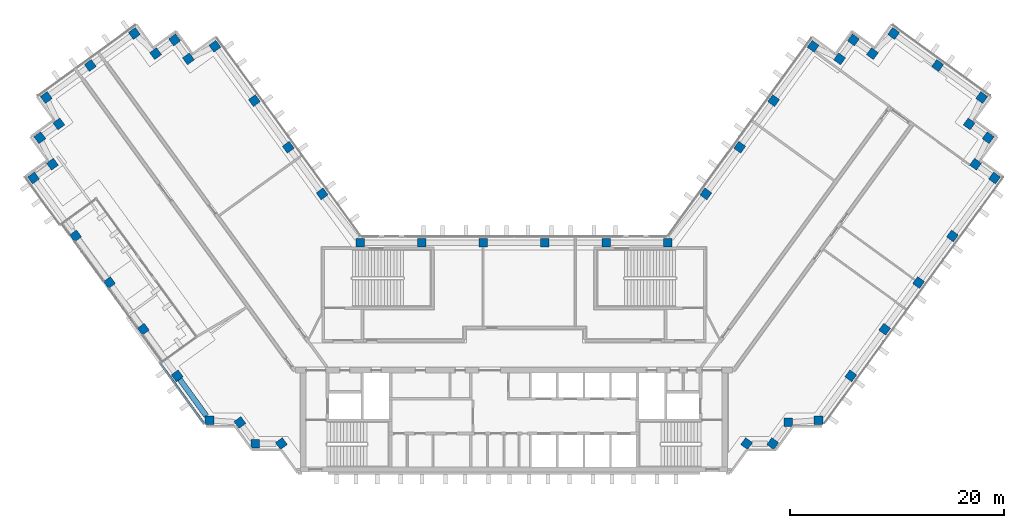
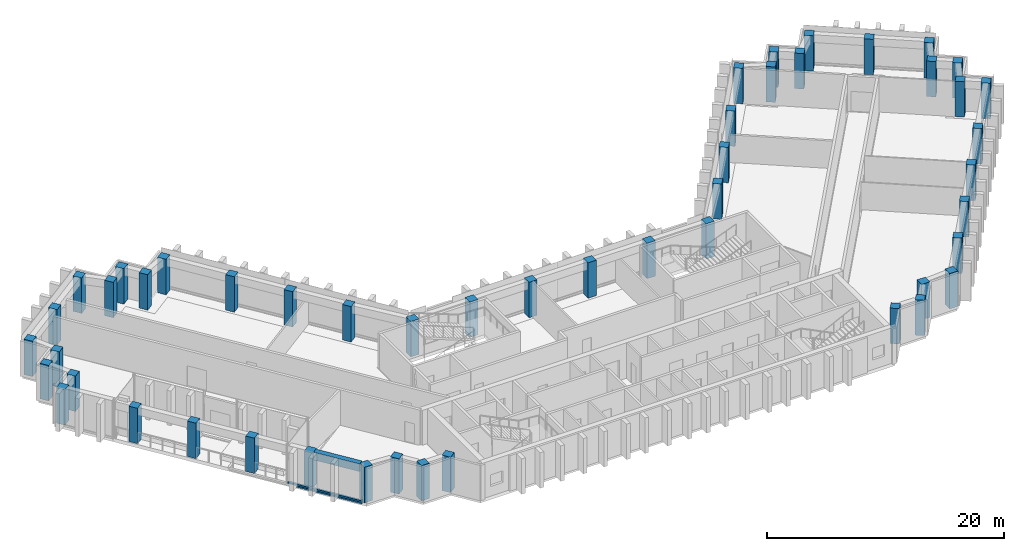
"""IFC4 building model written with IfcOpenShell, lengths in metres."""

from ifc_helpers import new_model, si_unit, direction, frame, origin, origin_2d, place, context, subcontext, project, spatial, rectangle, extrude, material, material_profile, profile_set, type_object, element, aggregate, save


model = new_model("IFC4")

# Units and contexts
model_context = context("Model", 3, precision=1e-05, world=origin(), true_north=direction((0.0, 1.0)))
body_context = subcontext(model_context, "Body", "Model", "MODEL_VIEW")
ifc_project = project(units=[si_unit("LENGTHUNIT", "METRE"), si_unit("AREAUNIT", "SQUARE_METRE"), si_unit("VOLUMEUNIT", "CUBIC_METRE"), si_unit("PLANEANGLEUNIT", "RADIAN"), si_unit("MASSUNIT", "GRAM", prefix="KILO")], contexts=[model_context])

# Site, building, storey
site_placement = place(None, origin())
site = spatial("IfcSite", under=ifc_project, at=site_placement, CompositionType="ELEMENT")
building_placement = place(site_placement, origin())
building = spatial("IfcBuilding", under=site, at=building_placement, Name="Quipu Civic Tower", CompositionType="ELEMENT")
storey_1_placement = place(building_placement, frame((0.0, 0.0, 156.0)))
storey_1 = spatial("IfcBuildingStorey", under=building, at=storey_1_placement, Name="L36", CompositionType="ELEMENT", Elevation=156.0)

# Columns
ifc_material_1 = material(Name="Concrete C60/75", Category="concrete")
ifc_material_profile_1 = material_profile(ifc_material_1, rectangle(XDim=0.800048828125, YDim=0.800048828125, at=origin_2d()), Name="RC800x800")
ifc_profile_set_1 = profile_set([ifc_material_profile_1], Name="Concrete C60/75")
column_type = type_object("IfcColumnType", Name="Perimeter column RC 800x800 C60/75", PredefinedType="COLUMN", material=ifc_profile_set_1)
for number, where, z_axis, x_axis, name in (
    (1, (-17.9736328125, 15.074951171875, 0.0), (0.0, 0.0, 1.0), (-0.587785252292, 0.809016994375, 0.0), "Column L36 W-IN-01"),
    (2, (-21.1474609375, 19.44384765625, 0.0), (0.0, 0.0, 1.0), (-0.587785252292, 0.809016994375, 0.0), "Column L36 W-IN-02"),
    (3, (-24.3212890625, 23.8125, 0.0), (0.0, 0.0, 1.0), (-0.587785252292, 0.809016994375, 0.0), "Column L36 W-IN-03"),
    (4, (-28.02001953125, 28.905029296875, 0.0), (0.0, 0.0, 1.0), (-0.809016994375, -0.587785252292, 0.0), "Column L36 T-Wi.0-W34"),
    (5, (-30.498779296875, 27.72265625, 0.0), (0.0, 0.0, 1.0), (-0.809016994375, -0.587785252292, 0.0), "Column L36 T-Wi.1-W34"),
    (6, (-31.794921875, 29.5, 0.0), (0.0, 0.0, 1.0), (-0.587785252292, 0.809016994375, 0.0), "Column L36 T-Wi.2-W34"),
    (7, (-33.573974609375, 28.20947265625, 0.0), (0.0, 0.0, 1.0), (-0.587785252292, 0.809016994375, 0.0), "Column L36 T-Wi.3-W34"),
    (8, (-35.56494140625, 30.10009765625, 0.0), (0.0, 0.0, 1.0), (-0.809016994375, -0.587785252292, 0.0), "Column L36 T-Wi.4-W34"),
    (9, (-39.690673828125, 27.10205078125, 0.0), (0.0, 0.0, 1.0), (-0.809016994375, -0.587785252292, 0.0), "Column L36 TIP-W-01-W34"),
    (10, (-43.81494140625, 24.10498046875, 0.0), (0.0, 0.0, 1.0), (-0.809016994375, -0.587785252292, 0.0), "Column L36 T-Wo.0-W34"),
    (11, (-42.635009765625, 21.626220703125, 0.0), (0.0, 0.0, 1.0), (-0.809016994375, -0.587785252292, 0.0), "Column L36 T-Wo.1-W34"),
    (12, (-44.4150390625, 20.3349609375, 0.0), (0.0, 0.0, 1.0), (0.587785252292, -0.809016994375, 0.0), "Column L36 T-Wo.2-W34"),
    (13, (-43.23095703125, 17.8544921875, 0.0), (0.0, 0.0, 1.0), (0.587785252292, -0.809016994375, 0.0), "Column L36 T-Wo.3-W34"),
    (14, (-45.010009765625, 16.56005859375, 0.0), (0.0, 0.0, 1.0), (0.587785252292, -0.809016994375, 0.0), "Column L36 T-Wo.4-W34"),
    (15, (-41.0703125, 11.137451171875, 0.0), (0.0, 0.0, 1.0), (0.587785252292, -0.809016994375, 0.0), "Column L36 W-OUT-04"),
    (16, (-37.896240234375, 6.768798828125, 0.0), (0.0, 0.0, 1.0), (0.587785252292, -0.809016994375, 0.0), "Column L36 W-OUT-03"),
    (17, (-34.722412109375, 2.39990234375, 0.0), (0.0, 0.0, 1.0), (0.587785252292, -0.809016994375, 0.0), "Column L36 W-OUT-02"),
    (18, (-31.54833984375, -1.96875, 0.0), (0.0, 0.0, 1.0), (0.587785252292, -0.809016994375, 0.0), "Column L36 W-OUT-01"),
    (19, (-28.52490234375, -6.1298828125, 0.0), (0.0, 0.0, 1.0), (1.0, 0.0, 0.0), "Column L36 J-Wo.0"),
    (20, (-25.67431640625, -6.3369140625, 0.0), (0.0, 0.0, 1.0), (0.587785252292, -0.809016994375, 0.0), "Column L36 J-Wo.1"),
    (21, (-24.235107421875, -8.31494140625, 0.0), (0.0, 0.0, 1.0), (1.0, 0.0, 0.0), "Column L36 J-Wo.2"),
    (22, (-21.791748046875, -8.31494140625, 0.0), (0.0, 0.0, 1.0), (0.587785252292, -0.809016994375, 0.0), "Column L36 J-Wo.3"),
    (23, (21.791748046875, -8.31494140625, 0.0), (0.0, 0.0, 1.0), (0.587785252292, 0.809016994375, 0.0), "Column L36 J-Eo.1"),
    (24, (24.235107421875, -8.31494140625, 0.0), (0.0, 0.0, 1.0), (0.587785252292, 0.809016994375, 0.0), "Column L36 J-Eo.2"),
    (25, (25.67431640625, -6.3369140625, 0.0), (0.0, 0.0, 1.0), (1.0, 0.0, 0.0), "Column L36 J-Eo.3"),
    (26, (28.52490234375, -6.1298828125, 0.0), (0.0, 0.0, 1.0), (1.0, 0.0, 0.0), "Column L36 J-Eo.4"),
    (27, (31.54833984375, -1.96875, 0.0), (0.0, 0.0, 1.0), (0.587785252292, 0.809016994375, 0.0), "Column L36 E-OUT-01"),
    (28, (34.722412109375, 2.39990234375, 0.0), (0.0, 0.0, 1.0), (0.587785252292, 0.809016994375, 0.0), "Column L36 E-OUT-02"),
    (29, (37.896240234375, 6.768798828125, 0.0), (0.0, 0.0, 1.0), (0.587785252292, 0.809016994375, 0.0), "Column L36 E-OUT-03"),
    (30, (41.0703125, 11.137451171875, 0.0), (0.0, 0.0, 1.0), (0.587785252292, 0.809016994375, 0.0), "Column L36 E-OUT-04"),
    (31, (45.010009765625, 16.56005859375, 0.0), (0.0, 0.0, 1.0), (0.587785252292, 0.809016994375, 0.0), "Column L36 T-Eo.0-E34"),
    (32, (43.23095703125, 17.8544921875, 0.0), (0.0, 0.0, 1.0), (0.587785252292, 0.809016994375, 0.0), "Column L36 T-Eo.1-E34"),
    (33, (44.4150390625, 20.3349609375, 0.0), (0.0, 0.0, 1.0), (0.587785252292, 0.809016994375, 0.0), "Column L36 T-Eo.2-E34"),
    (34, (42.635009765625, 21.626220703125, 0.0), (0.0, 0.0, 1.0), (-0.809016994375, 0.587785252292, 0.0), "Column L36 T-Eo.3-E34"),
    (35, (43.81494140625, 24.10498046875, 0.0), (0.0, 0.0, 1.0), (-0.809016994375, 0.587785252292, 0.0), "Column L36 T-Eo.4-E34"),
    (36, (39.690673828125, 27.10205078125, 0.0), (0.0, 0.0, 1.0), (-0.809016994375, 0.587785252292, 0.0), "Column L36 TIP-E-01-E34"),
    (37, (35.56494140625, 30.10009765625, 0.0), (0.0, 0.0, 1.0), (-0.587785252292, -0.809016994375, 0.0), "Column L36 T-Ei.0-E34"),
    (38, (33.573974609375, 28.20947265625, 0.0), (0.0, 0.0, 1.0), (-0.809016994375, 0.587785252292, 0.0), "Column L36 T-Ei.1-E34"),
    (39, (31.794921875, 29.5, 0.0), (0.0, 0.0, 1.0), (-0.587785252292, -0.809016994375, 0.0), "Column L36 T-Ei.2-E34"),
    (40, (30.498779296875, 27.72265625, 0.0), (0.0, 0.0, 1.0), (-0.809016994375, 0.587785252292, 0.0), "Column L36 T-Ei.3-E34"),
    (41, (28.02001953125, 28.905029296875, 0.0), (0.0, 0.0, 1.0), (-0.809016994375, 0.587785252292, 0.0), "Column L36 T-Ei.4-E34"),
    (42, (24.3212890625, 23.8125, 0.0), (0.0, 0.0, 1.0), (-0.587785252292, -0.809016994375, 0.0), "Column L36 E-IN-03"),
    (43, (21.1474609375, 19.44384765625, 0.0), (0.0, 0.0, 1.0), (-0.587785252292, -0.809016994375, 0.0), "Column L36 E-IN-02"),
    (44, (17.9736328125, 15.074951171875, 0.0), (0.0, 0.0, 1.0), (-0.587785252292, -0.809016994375, 0.0), "Column L36 E-IN-01"),
    (45, (14.395263671875, 10.5, 0.0), (0.0, 0.0, 1.0), (-1.0, 0.0, 0.0), "Column L36 J-Ei.0"),
    (46, (8.63720703125, 10.5, 0.0), (0.0, 0.0, 1.0), (-1.0, 0.0, 0.0), "Column L36 FRONT-01"),
    (47, (2.87890625, 10.5, 0.0), (0.0, 0.0, 1.0), (-1.0, 0.0, 0.0), "Column L36 FRONT-02"),
    (48, (-2.87890625, 10.5, 0.0), (0.0, 0.0, 1.0), (-1.0, 0.0, 0.0), "Column L36 FRONT-03"),
    (49, (-8.63720703125, 10.5, 0.0), (0.0, 0.0, 1.0), (-1.0, 0.0, 0.0), "Column L36 FRONT-04"),
    (50, (-14.395263671875, 10.5, 0.0), (0.0, 0.0, 1.0), (-1.0, 0.0, 0.0), "Column L36 J-Wi.0"),
):
    element("IfcColumn", number, at=place(storey_1_placement, frame(where, z_axis=z_axis, x_axis=x_axis)), inside=storey_1, type_object=column_type, Name=name, PredefinedType="COLUMN", context=body_context, shape_type="SweptSolid", body=[
        extrude(rectangle(XDim=0.800048828125, YDim=0.800048828125, at=origin_2d()), origin(), (0.0, 0.0, 1.0), 3.64990234375),
    ])

# Beam
ifc_material_2 = material(Name="Concrete C50/60", Category="concrete")
ifc_material_profile_2 = material_profile(ifc_material_2, rectangle(XDim=0.5, YDim=0.800048828125, at=origin_2d()), Name="RC500x800")
ifc_profile_set_2 = profile_set([ifc_material_profile_2], Name="Concrete C50/60")
beam_type = type_object("IfcBeamType", Name="Spandrel beam RC 500x800 C50/60", PredefinedType="SPANDREL", material=ifc_profile_set_2)
beam_placement = place(storey_1_placement, frame((-31.313232421875, -2.292236328125, 3.25), z_axis=(0.58776850526, -0.809029161541, 0.0), x_axis=(0.809029161541, 0.58776850526, 0.0)))
element("IfcBeam", 51, at=beam_placement, inside=storey_1, type_object=beam_type, Name="Spandrel beam L36 W-OUT-01 to J-Wo.0", PredefinedType="SPANDREL", context=body_context, shape_type="SweptSolid", body=[
    extrude(rectangle(XDim=0.5, YDim=0.800048828125, at=origin_2d()), origin(), (0.0, 0.0, 1.0), 4.249267578125),
])

# Storey
storey_2_placement = place(building_placement, frame((0.0, 0.0, 152.0)))
storey_2 = spatial("IfcBuildingStorey", under=building, at=storey_2_placement, Name="L35", CompositionType="ELEMENT", Elevation=152.0)

# Curtain wall, member
ifc_material_3 = material(Name="Insulated glass unit", Category="glass")
curtain_wall_type = type_object("IfcCurtainWallType", Name="Office curtain wall CW1", PredefinedType="NOTDEFINED", material=ifc_material_3)
curtain_wall_1_placement = place(storey_2_placement, origin())
curtain_wall_1 = element("IfcCurtainWall", 52, at=curtain_wall_1_placement, inside=storey_2, type_object=curtain_wall_type, Name="Office curtain wall CW1 L35 run 7", PredefinedType="NOTDEFINED")
ifc_material_4 = material(Name="Anodised aluminium", Category="aluminium")
ifc_material_profile_3 = material_profile(ifc_material_4, rectangle(XDim=0.199951171875, YDim=0.159912109375, at=origin_2d()), Name="RECT 200x160")
ifc_profile_set_3 = profile_set([ifc_material_profile_3], Name="Anodised aluminium")
member_type = type_object("IfcMemberType", Name="Transom CW1", PredefinedType="USERDEFINED", material=ifc_profile_set_3)
member_1_placement = place(storey_1_placement, frame((-32.64306640625, -1.482666015625, 0.0), z_axis=(0.587779476659, -0.809021190587, 0.0), x_axis=(0.809021190587, 0.587779476659, 0.0)))
member_1 = element("IfcMember", 53, at=member_1_placement, inside=storey_1, type_object=member_type, Name="CW1 transom 2.2", ObjectType="TRANSOM", PredefinedType="USERDEFINED", context=body_context, shape_type="SweptSolid", body=[
    extrude(rectangle(XDim=0.199951171875, YDim=0.159912109375, at=origin_2d()), origin(), (0.0, 0.0, 1.0), 6.10791015625),
])
aggregate(curtain_wall_1, [member_1])

curtain_wall_2_placement = place(storey_1_placement, origin())
curtain_wall_2 = element("IfcCurtainWall", 54, at=curtain_wall_2_placement, inside=storey_1, type_object=curtain_wall_type, Name="Office curtain wall CW1 L36 run 7", PredefinedType="NOTDEFINED")
member_2_placement = place(storey_1_placement, frame((-33.1064453125, -0.84521484375, 0.159912109375), z_axis=(0.58780324955, -0.809003918296, 0.0), x_axis=(0.809003918296, 0.58780324955, 0.0)))
member_2 = element("IfcMember", 55, at=member_2_placement, type_object=member_type, Name="CW1 transom 1.1", ObjectType="TRANSOM", PredefinedType="USERDEFINED", context=body_context, shape_type="SweptSolid", body=[
    extrude(rectangle(XDim=0.199951171875, YDim=0.159912109375, at=origin_2d()), origin(), (0.0, 0.0, 1.0), 6.89599609375),
])
aggregate(curtain_wall_2, [member_2])

save(model, "model.ifc")
